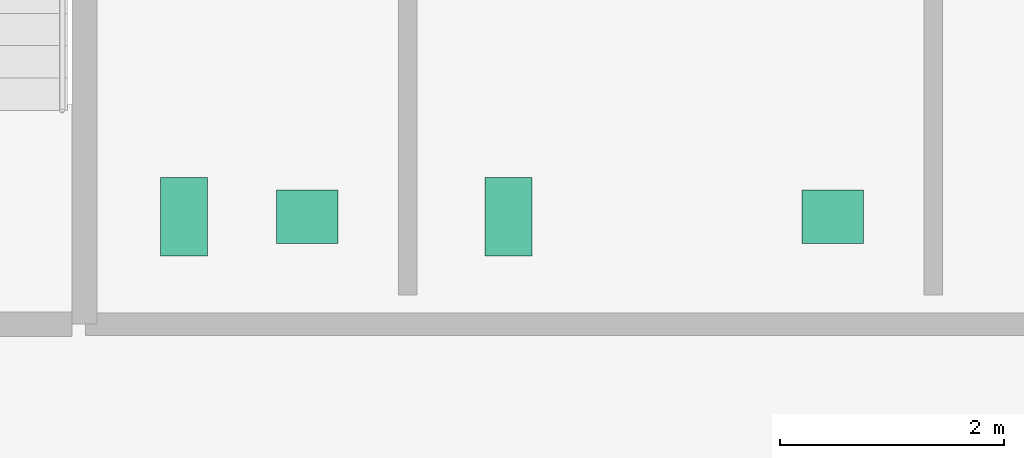
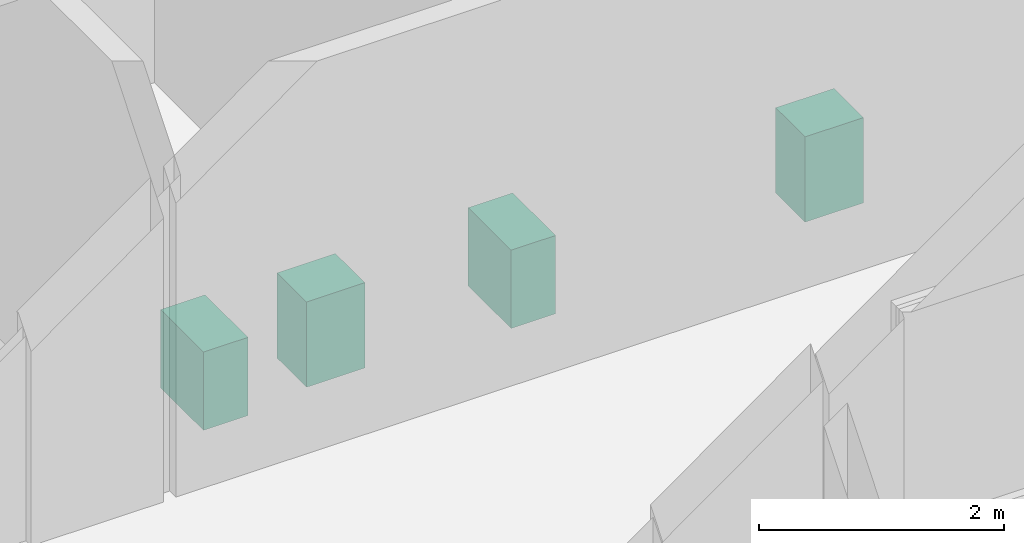
# One storey, part 10 of 10: 4 sanitary terminals.
"""IFC4 building model written with IfcOpenShell, lengths in metres."""

from ifc_helpers import new_model, si_unit, direction, frame, origin, origin_2d, place, context, subcontext, project, spatial, rectangle, extrude, material, type_object, element, save


model = new_model("IFC4")

# Units and contexts
model_context = context("Model", 3, precision=1e-05, world=origin(), true_north=direction((0.0, 1.0)))
body_context = subcontext(model_context, "Body", "Model", "MODEL_VIEW")
ifc_project = project(units=[si_unit("LENGTHUNIT", "METRE"), si_unit("AREAUNIT", "SQUARE_METRE"), si_unit("VOLUMEUNIT", "CUBIC_METRE"), si_unit("PLANEANGLEUNIT", "RADIAN"), si_unit("MASSUNIT", "GRAM", prefix="KILO")], contexts=[model_context])

# Site, building, storey
site_placement = place(None, origin())
site = spatial("IfcSite", under=ifc_project, at=site_placement, CompositionType="ELEMENT")
building_placement = place(site_placement, origin())
building = spatial("IfcBuilding", under=site, at=building_placement, Name="Norrvale University Quadrangle", CompositionType="ELEMENT")
storey_placement = place(building_placement, frame((0.0, 0.0, 303.800048828125)))
storey = spatial("IfcBuildingStorey", under=building, at=storey_placement, Name="L77", CompositionType="ELEMENT", Elevation=303.800048828125)

# Sanitary terminals
ifc_material = material(Name="Vitreous China Sanitaryware")
sanitary_terminal_type_1 = type_object("IfcSanitaryTerminalType", Name="Sanitary Wash Basin", PredefinedType="WASHHANDBASIN", material=ifc_material)
for number, where, z_axis, x_axis, name in (
    (1, (8.300048828125, 41.10009765625, 0.0), (0.0, 0.0, 1.0), (1.0, 0.0, 0.0), "Accessible Countertop Washbasin L77-1"),
    (2, (13.0, 41.10009765625, 0.0), (0.0, 0.0, 1.0), (1.0, 0.0, 0.0), "Accessible Countertop Washbasin L77-2"),
):
    element("IfcSanitaryTerminal", number, at=place(storey_placement, frame(where, z_axis=z_axis, x_axis=x_axis)), inside=storey, type_object=sanitary_terminal_type_1, Name=name, PredefinedType="WASHHANDBASIN", context=body_context, shape_type="SweptSolid", body=[
        extrude(rectangle(XDim=0.550048828125, YDim=0.47998046875, at=origin_2d()), origin(), (0.0, 0.0, 1.0), 0.85009765625),
    ])
sanitary_terminal_type_2 = type_object("IfcSanitaryTerminalType", Name="Sanitary Water Closet", PredefinedType="TOILETPAN", material=ifc_material)
for number, where, z_axis, x_axis, name in (
    (3, (7.199951171875, 41.10009765625, 0.0), (0.0, 0.0, 1.0), (1.0, 0.0, 0.0), "Wall-Hung Water Closet L77-1"),
    (4, (10.10009765625, 41.10009765625, 0.0), (0.0, 0.0, 1.0), (1.0, 0.0, 0.0), "Wall-Hung Water Closet L77-2"),
):
    element("IfcSanitaryTerminal", number, at=place(storey_placement, frame(where, z_axis=z_axis, x_axis=x_axis)), inside=storey, type_object=sanitary_terminal_type_2, Name=name, PredefinedType="TOILETPAN", context=body_context, shape_type="SweptSolid", body=[
        extrude(rectangle(XDim=0.419921875, YDim=0.699951171875, at=origin_2d()), origin(), (0.0, 0.0, 1.0), 0.780029296875),
    ])

save(model, "model.ifc")
